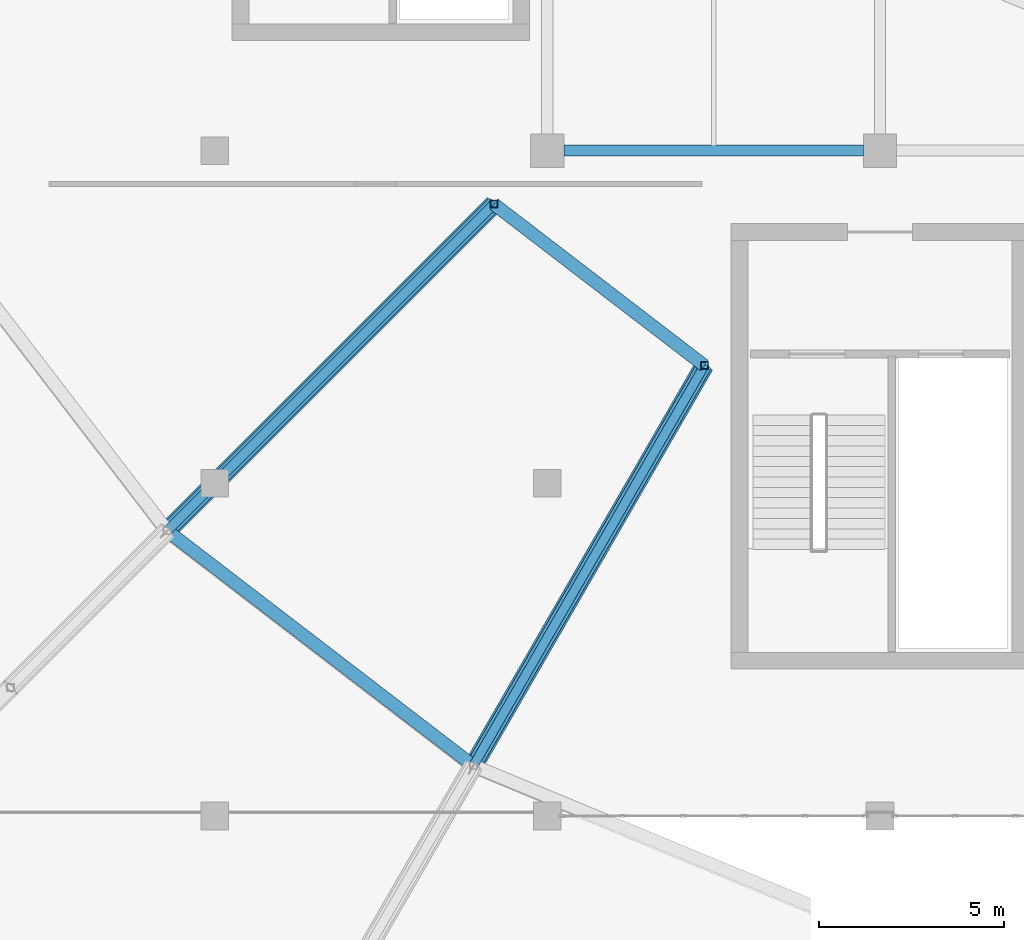
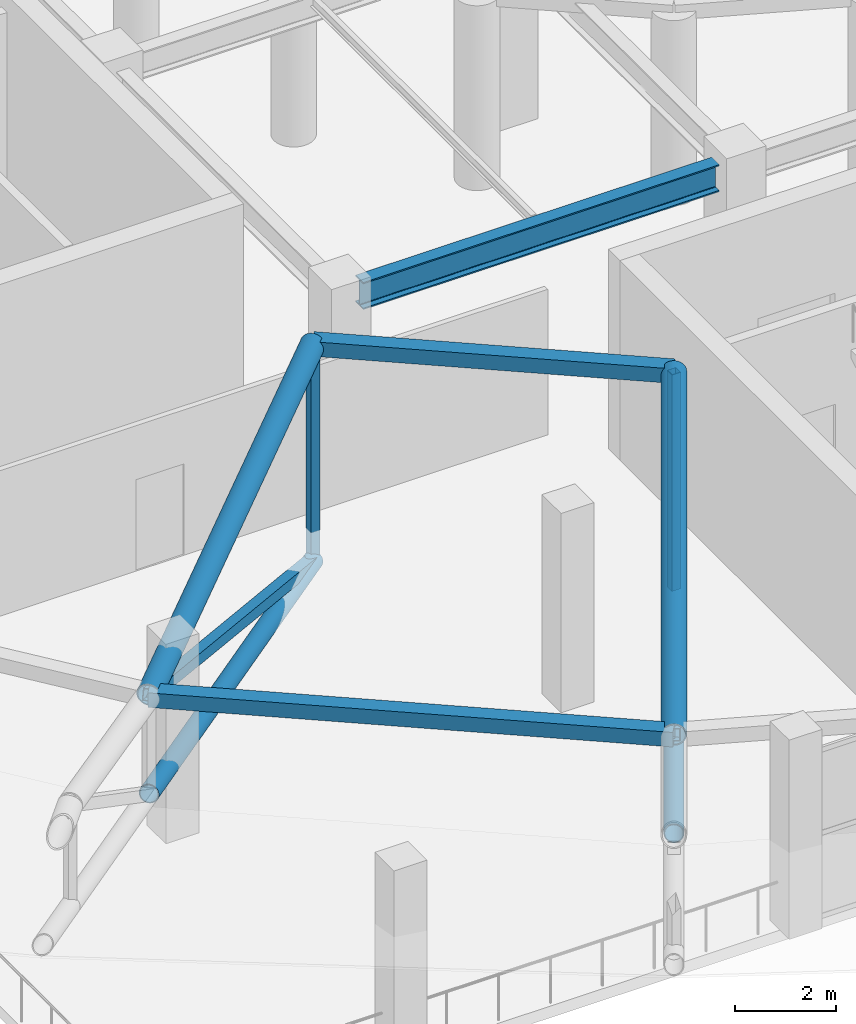
# One storey, part 29 of 167: 10 members, 1 beam.
"""IFC4 building model written with IfcOpenShell, lengths in metres."""

import ifcopenshell
import ifcopenshell.guid

model = None  # the IFC model being written
_history = None  # IfcOwnerHistory: only IFC2X3 demands one
_inside = {}  # id of a spatial element -> (the spatial element, [elements in it])
_under = {}  # id of a project, library or spatial element -> (it, [spatial elements below it])
_declared = {}  # id of a project -> (the project, [libraries it declares])
_typed = {}  # id of a type object -> (the type object, [elements of that type])
_made_of = {}  # id of a material, layer set ... -> (it, [elements and type objects made of it])


def new_model(schema):
    """Start an empty IFC model of exactly this schema.

    Asked for "IFC4X3", IfcOpenShell would pick the latest addendum, in which some entities
    have other attributes; the version numbers below select the first issue.
    IFC2X3 requires an IfcOwnerHistory on every rooted entity: one is made here for all.
    """
    global model, _history
    if schema == "IFC4X3":
        model = ifcopenshell.file(schema_version=(4, 3, 0, 0))
    else:
        model = ifcopenshell.file(schema=schema)
    _inside.clear()
    _under.clear()
    _declared.clear()
    _typed.clear()
    _made_of.clear()
    _history = None
    if model.schema == "IFC2X3":
        org = make("IfcOrganization", Name="unknown")
        user = make(
            "IfcPersonAndOrganization",
            ThePerson=make("IfcPerson", FamilyName="unknown"),
            TheOrganization=org,
        )
        app = make(
            "IfcApplication",
            ApplicationDeveloper=org,
            Version="unknown",
            ApplicationFullName="unknown",
            ApplicationIdentifier="unknown",
        )
        _history = make(
            "IfcOwnerHistory",
            OwningUser=user,
            OwningApplication=app,
            ChangeAction="ADDED",
            CreationDate=0,
        )
    return model


def make(cls, **values):
    """One entity of the class cls with the attributes given. An attribute that is None is left unset."""
    return model.create_entity(
        cls, **{name: value for name, value in values.items() if value is not None}
    )


def rooted(cls, **values):
    """An entity with a GlobalId (a new one), such as an element, a storey or a relation."""
    return make(cls, GlobalId=ifcopenshell.guid.new(), OwnerHistory=_history, **values)


def si_unit(unit_type, name, prefix=None):
    """IfcSIUnit, for example si_unit("LENGTHUNIT", "METRE", prefix="MILLI")."""
    return make("IfcSIUnit", UnitType=unit_type, Prefix=prefix, Name=name)


def assignment(units):
    """IfcUnitAssignment: the units of a project."""
    return None if units is None else make("IfcUnitAssignment", Units=units)


def point(xyz):
    """IfcCartesianPoint."""
    return None if xyz is None else make("IfcCartesianPoint", Coordinates=xyz)


def direction(xyz):
    """IfcDirection."""
    return None if xyz is None else make("IfcDirection", DirectionRatios=xyz)


def frame(location, z_axis=None, x_axis=None):
    """IfcAxis2Placement3D, a coordinate frame: its origin and axes. An axis left out is left unset."""
    return make(
        "IfcAxis2Placement3D",
        Location=point(location),
        Axis=direction(z_axis),
        RefDirection=direction(x_axis),
    )


def frame_2d(location, x_axis=None):
    """IfcAxis2Placement2D, a coordinate frame in the plane: its origin and x axis."""
    return make(
        "IfcAxis2Placement2D", Location=point(location), RefDirection=direction(x_axis)
    )


def origin():
    """The frame at (0, 0, 0) with its axes left unset."""
    return frame((0.0, 0.0, 0.0))


def origin_2d():
    """The frame at (0, 0) in the plane with its x axis left unset."""
    return frame_2d((0.0, 0.0))


def place(relative_to, where):
    """IfcLocalPlacement: puts the frame where relative to a parent placement (None: the world)."""
    return make(
        "IfcLocalPlacement", PlacementRelTo=relative_to, RelativePlacement=where
    )


def context(
    kind, dimensions, precision=None, world=None, true_north=None, identifier=None
):
    """IfcGeometricRepresentationContext, for example the 3D "Model" context."""
    return make(
        "IfcGeometricRepresentationContext",
        ContextIdentifier=identifier,
        ContextType=kind,
        CoordinateSpaceDimension=dimensions,
        Precision=precision,
        WorldCoordinateSystem=world,
        TrueNorth=true_north,
    )


def subcontext(parent, identifier, kind, view, scale=None):
    """IfcGeometricRepresentationSubContext, for example "Body" below "Model"."""
    return make(
        "IfcGeometricRepresentationSubContext",
        ContextIdentifier=identifier,
        ContextType=kind,
        ParentContext=parent,
        TargetScale=scale,
        TargetView=view,
    )


def project(units=None, contexts=None):
    """IfcProject with its units and contexts."""
    return rooted(
        "IfcProject",
        Name="project",
        RepresentationContexts=contexts,
        UnitsInContext=assignment(units),
    )


def spatial(cls, under=None, at=None, **own):
    """A site, building, storey or space (cls), placed at a placement, below another one or the project."""
    s = rooted(cls, ObjectPlacement=at, **own)
    if under is not None:
        _under.setdefault(under.id(), (under, []))[1].append(s)
    return s


def profile(cls, at=None, kind="AREA", **sizes):
    """A parametric profile (cls). Its sizes go by their IFC names, for example OverallWidth=200.0."""
    return make(cls, ProfileType=kind, Position=at, **sizes)


def hollow_rectangle(**sizes):
    """IfcRectangleHollowProfileDef."""
    return profile("IfcRectangleHollowProfileDef", **sizes)


def hollow_circle(**sizes):
    """IfcCircleHollowProfileDef."""
    return profile("IfcCircleHollowProfileDef", **sizes)


def i_section(**sizes):
    """IfcIShapeProfileDef."""
    return profile("IfcIShapeProfileDef", **sizes)


def extrude(swept, where, along, depth):
    """IfcExtrudedAreaSolid: the profile swept, set in the frame where, extruded along a direction by depth."""
    return make(
        "IfcExtrudedAreaSolid",
        SweptArea=swept,
        Position=where,
        ExtrudedDirection=direction(along),
        Depth=depth,
    )


def shape(context_of_items, identifier, shape_type, items):
    """IfcShapeRepresentation: the items that make up one representation, for example the "Body"."""
    return make(
        "IfcShapeRepresentation",
        ContextOfItems=context_of_items,
        RepresentationIdentifier=identifier,
        RepresentationType=shape_type,
        Items=items,
    )


def material(Name=None, Category=None):
    """IfcMaterial."""
    return make("IfcMaterial", Name=Name, Category=Category)


def material_profile(
    of_material, cross_section, Name=None, Category=None, Priority=None
):
    """IfcMaterialProfile: a cross section and its material."""
    return make(
        "IfcMaterialProfile",
        Name=Name,
        Material=of_material,
        Profile=cross_section,
        Priority=Priority,
        Category=Category,
    )


def profile_set(profiles, Name=None, composite=None):
    """IfcMaterialProfileSet."""
    return make(
        "IfcMaterialProfileSet",
        Name=Name,
        MaterialProfiles=profiles,
        CompositeProfile=composite,
    )


def made_of(thing, what):
    """Note that an element or type object is made of a material, layer set ...; save() writes the relation."""
    if what is not None:
        _made_of.setdefault(what.id(), (what, []))[1].append(thing)
    return thing


def type_object(cls, material=None, **own):
    """A type object (cls), such as IfcWallType, which elements share."""
    return made_of(rooted(cls, **own), material)


def element(
    cls,
    number,
    at=None,
    inside=None,
    cuts=None,
    type_object=None,
    material=None,
    context=None,
    identifier="Body",
    shape_type=None,
    held_by="IfcProductDefinitionShape",
    body=None,
    shapes=None,
    **own,
):
    """One element of the class cls, such as IfcWall. Its Tag is "e" and its number.

    at: its placement. inside: the storey or other place that contains it. cuts: it is an
    opening in that element (IfcRelVoidsElement). A single representation is given by context,
    identifier, shape_type and body (its items); several are given by shapes. held_by: the class
    of the entity that holds the representations. save() writes the other relations.
    """
    e = rooted(cls, Tag="e%d" % number, ObjectPlacement=at, **own)
    if body is not None:
        shapes = [shape(context, identifier, shape_type, body)]
    if shapes is not None:
        e.Representation = make(held_by, Representations=shapes)
    if inside is not None:
        _inside.setdefault(inside.id(), (inside, []))[1].append(e)
    if cuts is not None:
        rooted(
            "IfcRelVoidsElement", RelatingBuildingElement=cuts, RelatedOpeningElement=e
        )
    if type_object is not None:
        _typed.setdefault(type_object.id(), (type_object, []))[1].append(e)
    return made_of(e, material)


def aggregate(whole, parts):
    """IfcRelAggregates: a whole, such as a stair, and the parts it consists of."""
    return rooted("IfcRelAggregates", RelatingObject=whole, RelatedObjects=parts)


def save(model, path):
    """Write the relations noted so far, then the file.

    IfcRelAggregates (storeys below a building ...), IfcRelContainedInSpatialStructure (elements
    in a storey), IfcRelDefinesByType, IfcRelAssociatesMaterial and IfcRelDeclares: one each for
    every whole, place, type object, material and project.
    """
    for whole, parts in _under.values():
        aggregate(whole, parts)
    for where, things in _inside.values():
        rooted(
            "IfcRelContainedInSpatialStructure",
            RelatedElements=things,
            RelatingStructure=where,
        )
    for kind, things in _typed.values():
        rooted("IfcRelDefinesByType", RelatedObjects=things, RelatingType=kind)
    for what, things in _made_of.values():
        rooted("IfcRelAssociatesMaterial", RelatedObjects=things, RelatingMaterial=what)
    for by, libraries in _declared.values():
        rooted("IfcRelDeclares", RelatingContext=by, RelatedDefinitions=libraries)
    model.write(path)


model = new_model("IFC4")

# Units and contexts
model_context = context("Model", 3, precision=1e-05, world=origin(), true_north=direction((0.0, 1.0)))
body_context = subcontext(model_context, "Body", "Model", "MODEL_VIEW")
ifc_project = project(units=[si_unit("LENGTHUNIT", "METRE"), si_unit("AREAUNIT", "SQUARE_METRE"), si_unit("VOLUMEUNIT", "CUBIC_METRE"), si_unit("PLANEANGLEUNIT", "RADIAN"), si_unit("MASSUNIT", "GRAM", prefix="KILO")], contexts=[model_context])

# Site, building, storey
site_placement = place(None, origin())
site = spatial("IfcSite", under=ifc_project, at=site_placement, CompositionType="ELEMENT")
building_placement = place(site_placement, origin())
building = spatial("IfcBuilding", under=site, at=building_placement, Name="Dornveld Trade and Exhibition Forum", CompositionType="ELEMENT")
storey_placement = place(building_placement, frame((0.0, 0.0, 16.800048828125)))
storey = spatial("IfcBuildingStorey", under=building, at=storey_placement, Name="L03", CompositionType="ELEMENT", Elevation=16.800048828125)

# Beam
ifc_material_1 = material(Name="Steel S355J2", Category="steel")
ifc_material_profile_1 = material_profile(ifc_material_1, i_section(OverallWidth=0.300048828125, OverallDepth=0.64990234375, WebThickness=0.01611328125, FlangeThickness=0.031005859375, FilletRadius=0.027099609375, at=origin_2d()), Name="HEB 650")
ifc_profile_set_1 = profile_set([ifc_material_profile_1], Name="Steel S355J2")
beam_type = type_object("IfcBeamType", Name="BM-GIR-HEB650", PredefinedType="USERDEFINED", material=ifc_profile_set_1)
beam_placement = place(storey_placement, frame((99.446044921875, 63.0, 4.15283203125), z_axis=(1.0, 0.0, 0.0), x_axis=(0.0, 1.0, 0.0)))
element("IfcBeam", 1, at=beam_placement, inside=storey, type_object=beam_type, Name="L03 X-girder 1651", ObjectType="GIRDER", PredefinedType="USERDEFINED", context=body_context, shape_type="SweptSolid", body=[
    extrude(i_section(OverallWidth=0.300048828125, OverallDepth=0.64990234375, WebThickness=0.01611328125, FlangeThickness=0.031005859375, FilletRadius=0.027099609375, at=origin_2d()), origin(), (0.0, 0.0, 1.0), 8.10791015625),
])

# Members
ifc_material_2 = material(Name="Steel S355J2", Category="steel")
ifc_material_profile_2 = material_profile(ifc_material_2, hollow_circle(Radius=0.203125, WallThickness=0.02001953125, at=origin_2d()), Name="CHS 406.4x20")
ifc_profile_set_2 = profile_set([ifc_material_profile_2], Name="Steel S355J2")
member_type_1 = type_object("IfcMemberType", Name="MEM-DISC-BC", PredefinedType="CHORD", material=ifc_profile_set_2)
for number, where, z_axis, x_axis, name in (
    (2, (97.5546875, 61.5546875, -0.76220703125), (-0.689559145785, -0.689559145785, 0.221396406767), (0.707106781187, -0.707106781187, 0.0), "Roof disc radial R16 conical bottom chord 2"),
    (3, (103.25, 57.184326171875, -0.76220703125), (-0.487587944083, -0.844536602678, 0.22139540086), (0.86602784187, -0.499995777088, 0.0), "Roof disc radial R17 conical bottom chord 2"),
):
    element("IfcMember", number, at=place(storey_placement, frame(where, z_axis=z_axis, x_axis=x_axis)), inside=storey, type_object=member_type_1, Name=name, PredefinedType="CHORD", context=body_context, shape_type="SweptSolid", body=[
        extrude(hollow_circle(Radius=0.203125, WallThickness=0.02001953125, at=origin_2d()), origin(), (0.0, 0.0, 1.0), 12.818115234375),
    ])
ifc_material_3 = material(Name="Steel S355J2", Category="steel")
ifc_material_profile_3 = material_profile(ifc_material_3, hollow_rectangle(XDim=0.35009765625, YDim=0.35009765625, WallThickness=0.01611328125, at=origin_2d()), Name="SHS 350x350x16")
ifc_profile_set_3 = profile_set([ifc_material_profile_3], Name="Steel S355J2")
member_type_2 = type_object("IfcMemberType", Name="MEM-DISC-RING", PredefinedType="CHORD", material=ifc_profile_set_3)
member_1_placement = place(storey_placement, frame((97.5546875, 61.5546875, 4.449951171875), z_axis=(0.793340265696, -0.608778467774, 0.0), x_axis=(0.608778467774, 0.793340265696, 0.0)))
element("IfcMember", 4, at=member_1_placement, inside=storey, type_object=member_type_2, Name="Roof disc ring 2 chord 16", PredefinedType="CHORD", context=body_context, shape_type="SweptSolid", body=[
    extrude(hollow_rectangle(XDim=0.35009765625, YDim=0.35009765625, WallThickness=0.01611328125, at=origin_2d()), origin(), (0.0, 0.0, 1.0), 7.178955078125),
])
member_2_placement = place(storey_placement, frame((88.7158203125, 52.7158203125, 4.449951171875), z_axis=(0.793341363525, -0.608777037117, 0.0), x_axis=(0.608777037117, 0.793341363525, 0.0)))
element("IfcMember", 5, at=member_2_placement, inside=storey, type_object=member_type_2, Name="Roof disc ring 3 chord 16", PredefinedType="CHORD", context=body_context, shape_type="SweptSolid", body=[
    extrude(hollow_rectangle(XDim=0.35009765625, YDim=0.35009765625, WallThickness=0.01611328125, at=origin_2d()), origin(), (0.0, 0.0, 1.0), 10.442138671875),
])
ifc_material_4 = material(Name="Steel S355J2", Category="steel")
ifc_material_profile_4 = material_profile(ifc_material_4, hollow_rectangle(XDim=0.199951171875, YDim=0.199951171875, WallThickness=0.010009765625, at=origin_2d()), Name="SHS 200x200x10")
ifc_profile_set_4 = profile_set([ifc_material_profile_4], Name="Steel S355J2")
member_type_3 = type_object("IfcMemberType", Name="MEM-DISC-STR", PredefinedType="STRUT", material=ifc_profile_set_4)
for number, where, z_axis, x_axis, name in (
    (6, (97.5546875, 61.5546875, -0.76220703125), (0.0, 0.0, 1.0), (1.0, 0.0, 0.0), "Roof disc radial R16 strut 2"),
    (7, (103.25, 57.184326171875, -0.76220703125), (0.0, 0.0, 1.0), (1.0, 0.0, 0.0), "Roof disc radial R17 strut 2"),
):
    element("IfcMember", number, at=place(storey_placement, frame(where, z_axis=z_axis, x_axis=x_axis)), inside=storey, type_object=member_type_3, Name=name, PredefinedType="STRUT", context=body_context, shape_type="SweptSolid", body=[
        extrude(hollow_rectangle(XDim=0.199951171875, YDim=0.199951171875, WallThickness=0.010009765625, at=origin_2d()), origin(), (0.0, 0.0, 1.0), 5.212158203125),
    ])
ifc_material_5 = material(Name="Steel S355J2", Category="steel")
ifc_material_profile_5 = material_profile(ifc_material_5, hollow_circle(Radius=0.25390625, WallThickness=0.02490234375, at=origin_2d()), Name="CHS 508x25")
ifc_profile_set_5 = profile_set([ifc_material_profile_5], Name="Steel S355J2")
member_type_4 = type_object("IfcMemberType", Name="MEM-DISC-TC", PredefinedType="CHORD", material=ifc_profile_set_5)
for number, where, z_axis, x_axis, name in (
    (8, (97.5546875, 61.5546875, 4.449951171875), (-0.707106781187, -0.707106781187, 0.0), (0.707106781187, -0.707106781187, 0.0), "Roof disc radial R16 top chord 2"),
    (9, (103.25, 57.184326171875, 4.449951171875), (-0.499995777088, -0.86602784187, 0.0), (0.86602784187, -0.499995777088, 0.0), "Roof disc radial R17 top chord 2"),
):
    element("IfcMember", number, at=place(storey_placement, frame(where, z_axis=z_axis, x_axis=x_axis)), inside=storey, type_object=member_type_4, Name=name, PredefinedType="CHORD", context=body_context, shape_type="SweptSolid", body=[
        extrude(hollow_circle(Radius=0.25390625, WallThickness=0.02490234375, at=origin_2d()), origin(), (0.0, 0.0, 1.0), 12.5),
    ])
ifc_material_6 = material(Name="Steel S355J2", Category="steel")
ifc_material_profile_6 = material_profile(ifc_material_6, hollow_rectangle(XDim=0.25, YDim=0.25, WallThickness=0.012451171875, at=origin_2d()), Name="SHS 250x250x12.5")
ifc_profile_set_6 = profile_set([ifc_material_profile_6], Name="Steel S355J2")
member_type_5 = type_object("IfcMemberType", Name="MEM-DISC-WEB", PredefinedType="BRACE", material=ifc_profile_set_6)
for number, where, z_axis, x_axis, name in (
    (10, (97.5546875, 61.5546875, -0.76220703125), (-0.652643384165, -0.652643384165, 0.384854811859), (0.707106781187, -0.707106781187, 0.0), "Roof disc radial R16 web 2"),
    (11, (103.25, 57.184326171875, -0.76220703125), (-0.46148499155, -0.799324453528, 0.384853245492), (0.86602784187, -0.499995777088, 0.0), "Roof disc radial R17 web 2"),
):
    element("IfcMember", number, at=place(storey_placement, frame(where, z_axis=z_axis, x_axis=x_axis)), inside=storey, type_object=member_type_5, Name=name, PredefinedType="BRACE", context=body_context, shape_type="SweptSolid", body=[
        extrude(hollow_rectangle(XDim=0.25, YDim=0.25, WallThickness=0.012451171875, at=origin_2d()), origin(), (0.0, 0.0, 1.0), 13.543212890625),
    ])

save(model, "model.ifc")
